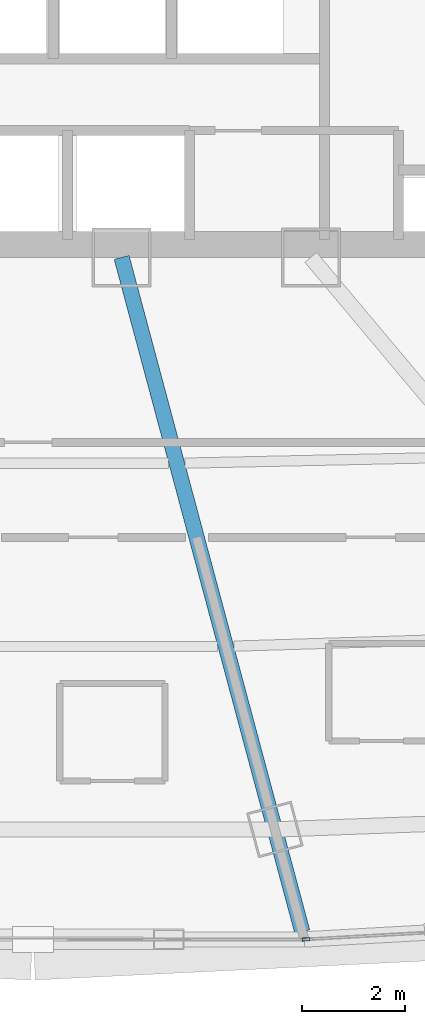
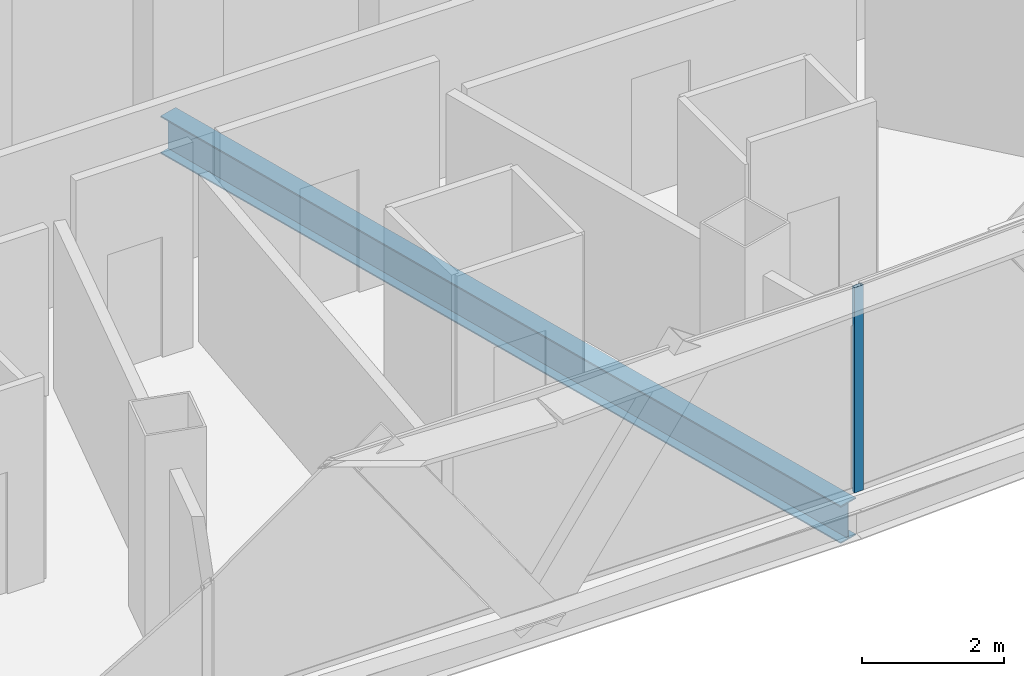
# One storey, part 12 of 40: 1 beam, 1 member, 1 element without a shape of its own.
"""IFC4 building model written with IfcOpenShell, lengths in metres."""

import ifcopenshell
import ifcopenshell.guid

model = None  # the IFC model being written
_history = None  # IfcOwnerHistory: only IFC2X3 demands one
_inside = {}  # id of a spatial element -> (the spatial element, [elements in it])
_under = {}  # id of a project, library or spatial element -> (it, [spatial elements below it])
_declared = {}  # id of a project -> (the project, [libraries it declares])
_typed = {}  # id of a type object -> (the type object, [elements of that type])
_made_of = {}  # id of a material, layer set ... -> (it, [elements and type objects made of it])


def new_model(schema):
    """Start an empty IFC model of exactly this schema.

    Asked for "IFC4X3", IfcOpenShell would pick the latest addendum, in which some entities
    have other attributes; the version numbers below select the first issue.
    IFC2X3 requires an IfcOwnerHistory on every rooted entity: one is made here for all.
    """
    global model, _history
    if schema == "IFC4X3":
        model = ifcopenshell.file(schema_version=(4, 3, 0, 0))
    else:
        model = ifcopenshell.file(schema=schema)
    _inside.clear()
    _under.clear()
    _declared.clear()
    _typed.clear()
    _made_of.clear()
    _history = None
    if model.schema == "IFC2X3":
        org = make("IfcOrganization", Name="unknown")
        user = make(
            "IfcPersonAndOrganization",
            ThePerson=make("IfcPerson", FamilyName="unknown"),
            TheOrganization=org,
        )
        app = make(
            "IfcApplication",
            ApplicationDeveloper=org,
            Version="unknown",
            ApplicationFullName="unknown",
            ApplicationIdentifier="unknown",
        )
        _history = make(
            "IfcOwnerHistory",
            OwningUser=user,
            OwningApplication=app,
            ChangeAction="ADDED",
            CreationDate=0,
        )
    return model


def make(cls, **values):
    """One entity of the class cls with the attributes given. An attribute that is None is left unset."""
    return model.create_entity(
        cls, **{name: value for name, value in values.items() if value is not None}
    )


def rooted(cls, **values):
    """An entity with a GlobalId (a new one), such as an element, a storey or a relation."""
    return make(cls, GlobalId=ifcopenshell.guid.new(), OwnerHistory=_history, **values)


def si_unit(unit_type, name, prefix=None):
    """IfcSIUnit, for example si_unit("LENGTHUNIT", "METRE", prefix="MILLI")."""
    return make("IfcSIUnit", UnitType=unit_type, Prefix=prefix, Name=name)


def assignment(units):
    """IfcUnitAssignment: the units of a project."""
    return None if units is None else make("IfcUnitAssignment", Units=units)


def point(xyz):
    """IfcCartesianPoint."""
    return None if xyz is None else make("IfcCartesianPoint", Coordinates=xyz)


def direction(xyz):
    """IfcDirection."""
    return None if xyz is None else make("IfcDirection", DirectionRatios=xyz)


def frame(location, z_axis=None, x_axis=None):
    """IfcAxis2Placement3D, a coordinate frame: its origin and axes. An axis left out is left unset."""
    return make(
        "IfcAxis2Placement3D",
        Location=point(location),
        Axis=direction(z_axis),
        RefDirection=direction(x_axis),
    )


def frame_2d(location, x_axis=None):
    """IfcAxis2Placement2D, a coordinate frame in the plane: its origin and x axis."""
    return make(
        "IfcAxis2Placement2D", Location=point(location), RefDirection=direction(x_axis)
    )


def origin():
    """The frame at (0, 0, 0) with its axes left unset."""
    return frame((0.0, 0.0, 0.0))


def origin_2d():
    """The frame at (0, 0) in the plane with its x axis left unset."""
    return frame_2d((0.0, 0.0))


def place(relative_to, where):
    """IfcLocalPlacement: puts the frame where relative to a parent placement (None: the world)."""
    return make(
        "IfcLocalPlacement", PlacementRelTo=relative_to, RelativePlacement=where
    )


def context(
    kind, dimensions, precision=None, world=None, true_north=None, identifier=None
):
    """IfcGeometricRepresentationContext, for example the 3D "Model" context."""
    return make(
        "IfcGeometricRepresentationContext",
        ContextIdentifier=identifier,
        ContextType=kind,
        CoordinateSpaceDimension=dimensions,
        Precision=precision,
        WorldCoordinateSystem=world,
        TrueNorth=true_north,
    )


def subcontext(parent, identifier, kind, view, scale=None):
    """IfcGeometricRepresentationSubContext, for example "Body" below "Model"."""
    return make(
        "IfcGeometricRepresentationSubContext",
        ContextIdentifier=identifier,
        ContextType=kind,
        ParentContext=parent,
        TargetScale=scale,
        TargetView=view,
    )


def project(units=None, contexts=None):
    """IfcProject with its units and contexts."""
    return rooted(
        "IfcProject",
        Name="project",
        RepresentationContexts=contexts,
        UnitsInContext=assignment(units),
    )


def spatial(cls, under=None, at=None, **own):
    """A site, building, storey or space (cls), placed at a placement, below another one or the project."""
    s = rooted(cls, ObjectPlacement=at, **own)
    if under is not None:
        _under.setdefault(under.id(), (under, []))[1].append(s)
    return s


def profile(cls, at=None, kind="AREA", **sizes):
    """A parametric profile (cls). Its sizes go by their IFC names, for example OverallWidth=200.0."""
    return make(cls, ProfileType=kind, Position=at, **sizes)


def hollow_rectangle(**sizes):
    """IfcRectangleHollowProfileDef."""
    return profile("IfcRectangleHollowProfileDef", **sizes)


def i_section(**sizes):
    """IfcIShapeProfileDef."""
    return profile("IfcIShapeProfileDef", **sizes)


def extrude(swept, where, along, depth):
    """IfcExtrudedAreaSolid: the profile swept, set in the frame where, extruded along a direction by depth."""
    return make(
        "IfcExtrudedAreaSolid",
        SweptArea=swept,
        Position=where,
        ExtrudedDirection=direction(along),
        Depth=depth,
    )


def shape(context_of_items, identifier, shape_type, items):
    """IfcShapeRepresentation: the items that make up one representation, for example the "Body"."""
    return make(
        "IfcShapeRepresentation",
        ContextOfItems=context_of_items,
        RepresentationIdentifier=identifier,
        RepresentationType=shape_type,
        Items=items,
    )


def source(mapping_origin, context_of_items, identifier, shape_type, items):
    """IfcRepresentationMap: a shape defined once, which mapped items show again and again."""
    return make(
        "IfcRepresentationMap",
        MappingOrigin=mapping_origin,
        MappedRepresentation=shape(context_of_items, identifier, shape_type, items),
    )


def transform(
    local_origin,
    x_axis=None,
    y_axis=None,
    z_axis=None,
    scale=None,
    scale2=None,
    scale3=None,
    uniform=True,
):
    """IfcCartesianTransformationOperator3D, or its non-uniform kind. x_axis, y_axis, z_axis: its Axis1, 2, 3."""
    if uniform:
        return make(
            "IfcCartesianTransformationOperator3D",
            Axis1=direction(x_axis),
            Axis2=direction(y_axis),
            LocalOrigin=point(local_origin),
            Scale=scale,
            Axis3=direction(z_axis),
        )
    return make(
        "IfcCartesianTransformationOperator3DnonUniform",
        Axis1=direction(x_axis),
        Axis2=direction(y_axis),
        LocalOrigin=point(local_origin),
        Scale=scale,
        Axis3=direction(z_axis),
        Scale2=scale2,
        Scale3=scale3,
    )


def mapped(mapping_source, mapping_target):
    """IfcMappedItem: shows the shape of a source again, moved by a transform."""
    return make(
        "IfcMappedItem", MappingSource=mapping_source, MappingTarget=mapping_target
    )


def material(Name=None, Category=None):
    """IfcMaterial."""
    return make("IfcMaterial", Name=Name, Category=Category)


def layer(
    of_material, thickness, ventilated=None, Name=None, Category=None, Priority=None
):
    """IfcMaterialLayer: one layer of a wall or slab, of a material (None: an air gap)."""
    return make(
        "IfcMaterialLayer",
        Material=of_material,
        LayerThickness=thickness,
        IsVentilated=ventilated,
        Name=Name,
        Category=Category,
        Priority=Priority,
    )


def layer_set(layers, Name=None):
    """IfcMaterialLayerSet."""
    return make("IfcMaterialLayerSet", MaterialLayers=layers, LayerSetName=Name)


def material_profile(
    of_material, cross_section, Name=None, Category=None, Priority=None
):
    """IfcMaterialProfile: a cross section and its material."""
    return make(
        "IfcMaterialProfile",
        Name=Name,
        Material=of_material,
        Profile=cross_section,
        Priority=Priority,
        Category=Category,
    )


def profile_set(profiles, Name=None, composite=None):
    """IfcMaterialProfileSet."""
    return make(
        "IfcMaterialProfileSet",
        Name=Name,
        MaterialProfiles=profiles,
        CompositeProfile=composite,
    )


def made_of(thing, what):
    """Note that an element or type object is made of a material, layer set ...; save() writes the relation."""
    if what is not None:
        _made_of.setdefault(what.id(), (what, []))[1].append(thing)
    return thing


def type_object(cls, material=None, **own):
    """A type object (cls), such as IfcWallType, which elements share."""
    return made_of(rooted(cls, **own), material)


def element(
    cls,
    number,
    at=None,
    inside=None,
    cuts=None,
    type_object=None,
    material=None,
    context=None,
    identifier="Body",
    shape_type=None,
    held_by="IfcProductDefinitionShape",
    body=None,
    shapes=None,
    **own,
):
    """One element of the class cls, such as IfcWall. Its Tag is "e" and its number.

    at: its placement. inside: the storey or other place that contains it. cuts: it is an
    opening in that element (IfcRelVoidsElement). A single representation is given by context,
    identifier, shape_type and body (its items); several are given by shapes. held_by: the class
    of the entity that holds the representations. save() writes the other relations.
    """
    e = rooted(cls, Tag="e%d" % number, ObjectPlacement=at, **own)
    if body is not None:
        shapes = [shape(context, identifier, shape_type, body)]
    if shapes is not None:
        e.Representation = make(held_by, Representations=shapes)
    if inside is not None:
        _inside.setdefault(inside.id(), (inside, []))[1].append(e)
    if cuts is not None:
        rooted(
            "IfcRelVoidsElement", RelatingBuildingElement=cuts, RelatedOpeningElement=e
        )
    if type_object is not None:
        _typed.setdefault(type_object.id(), (type_object, []))[1].append(e)
    return made_of(e, material)


def aggregate(whole, parts):
    """IfcRelAggregates: a whole, such as a stair, and the parts it consists of."""
    return rooted("IfcRelAggregates", RelatingObject=whole, RelatedObjects=parts)


def save(model, path):
    """Write the relations noted so far, then the file.

    IfcRelAggregates (storeys below a building ...), IfcRelContainedInSpatialStructure (elements
    in a storey), IfcRelDefinesByType, IfcRelAssociatesMaterial and IfcRelDeclares: one each for
    every whole, place, type object, material and project.
    """
    for whole, parts in _under.values():
        aggregate(whole, parts)
    for where, things in _inside.values():
        rooted(
            "IfcRelContainedInSpatialStructure",
            RelatedElements=things,
            RelatingStructure=where,
        )
    for kind, things in _typed.values():
        rooted("IfcRelDefinesByType", RelatedObjects=things, RelatingType=kind)
    for what, things in _made_of.values():
        rooted("IfcRelAssociatesMaterial", RelatedObjects=things, RelatingMaterial=what)
    for by, libraries in _declared.values():
        rooted("IfcRelDeclares", RelatingContext=by, RelatedDefinitions=libraries)
    model.write(path)


model = new_model("IFC4")

# Units and contexts
model_context = context("Model", 3, precision=1e-05, world=origin(), true_north=direction((0.0, 1.0)))
body_context = subcontext(model_context, "Body", "Model", "MODEL_VIEW")
ifc_project = project(units=[si_unit("LENGTHUNIT", "METRE"), si_unit("AREAUNIT", "SQUARE_METRE"), si_unit("VOLUMEUNIT", "CUBIC_METRE"), si_unit("PLANEANGLEUNIT", "RADIAN"), si_unit("MASSUNIT", "GRAM", prefix="KILO"), si_unit("THERMODYNAMICTEMPERATUREUNIT", "KELVIN"), si_unit("POWERUNIT", "WATT")], contexts=[model_context])

# Site, building, storey
site_placement = place(None, origin())
site = spatial("IfcSite", under=ifc_project, at=site_placement, CompositionType="ELEMENT")
building_placement = place(site_placement, origin())
building = spatial("IfcBuilding", under=site, at=building_placement, Name="Yunzhuo Pagoda Commons", CompositionType="ELEMENT")
storey_placement = place(building_placement, frame((0.0, 0.0, 184.760009765625)))
storey = spatial("IfcBuildingStorey", under=building, at=storey_placement, Name="L46", CompositionType="ELEMENT", Elevation=184.760009765625)

# Beam
ifc_material_1 = material(Name="Structural steel Q355B", Category="steel")
ifc_material_profile_1 = material_profile(ifc_material_1, i_section(OverallWidth=0.300048828125, OverallDepth=0.64990234375, WebThickness=0.012939453125, FlangeThickness=0.02197265625, at=origin_2d()), Name="Structural steel Q355B")
ifc_profile_set_1 = profile_set([ifc_material_profile_1], Name="Structural steel Q355B")
beam_type = type_object("IfcBeamType", Name="B-RG2 Beam HN 650x300x13x22", PredefinedType="BEAM", material=ifc_profile_set_1)
shared_shape_1 = source(origin(), body_context, "Body", "SweptSolid", [
    extrude(i_section(OverallWidth=0.300048828125, OverallDepth=0.64990234375, WebThickness=0.012939453125, FlangeThickness=0.02197265625, at=origin_2d()), origin(), (0.0, 0.0, 1.0), 13.593017578125),
])
beam_placement = place(storey_placement, frame((53.246337890625, 14.1201171875, -0.5849609375), z_axis=(-0.25879713325, 0.965931697286, 0.0), x_axis=(-0.965931697286, -0.25879713325, 0.0)))
element("IfcBeam", 1, at=beam_placement, inside=storey, type_object=beam_type, Name="L46 radial floor girder F1C3", PredefinedType="BEAM", context=body_context, shape_type="MappedRepresentation", body=[
    mapped(shared_shape_1, transform((0.0, 0.0, 0.0), scale=1.0)),
])

# Curtain wall, member
ifc_material_2 = material(Name="Anodized aluminium 6063-T6", Category="aluminium")
ifc_layer = layer(ifc_material_2, 0.14990234375)
ifc_layer_set = layer_set([ifc_layer], Name="Anodized aluminium 6063-T6")
curtain_wall_type = type_object("IfcCurtainWallType", Name="CW-MID Mid-Zone Ribbon Curtain Wall", PredefinedType="NOTDEFINED", material=ifc_layer_set)
curtain_wall_placement = place(storey_placement, origin())
curtain_wall = element("IfcCurtainWall", 2, at=curtain_wall_placement, inside=storey, type_object=curtain_wall_type, Name="L46 curtain wall CW-L46-F1B4", PredefinedType="NOTDEFINED")
ifc_material_profile_2 = material_profile(ifc_material_2, hollow_rectangle(XDim=0.06005859375, YDim=0.14990234375, WallThickness=0.00390625, at=origin_2d()), Name="Anodized aluminium 6063-T6")
ifc_profile_set_2 = profile_set([ifc_material_profile_2], Name="Anodized aluminium 6063-T6")
member_type = type_object("IfcMemberType", Name="CW-MID-M Mullion RHS 150x60x4", PredefinedType="MULLION", material=ifc_profile_set_2)
shared_shape_2 = source(origin(), body_context, "Body", "SweptSolid", [
    extrude(hollow_rectangle(XDim=0.06005859375, YDim=0.14990234375, WallThickness=0.00390625, at=origin_2d()), origin(), (0.0, 0.0, 1.0), 3.5400390625),
])
member_placement = place(storey_placement, frame((53.31640625, 13.97216796875, 0.0), z_axis=(0.0, 0.0, 1.0), x_axis=(-0.056142665584, 0.998422756702, 0.0)))
member = element("IfcMember", 3, at=member_placement, type_object=member_type, Name="CW mullion 1", PredefinedType="MULLION", context=body_context, shape_type="MappedRepresentation", body=[
    mapped(shared_shape_2, transform((0.0, 0.0, 0.0), scale=1.0)),
])
aggregate(curtain_wall, [member])

save(model, "model.ifc")
